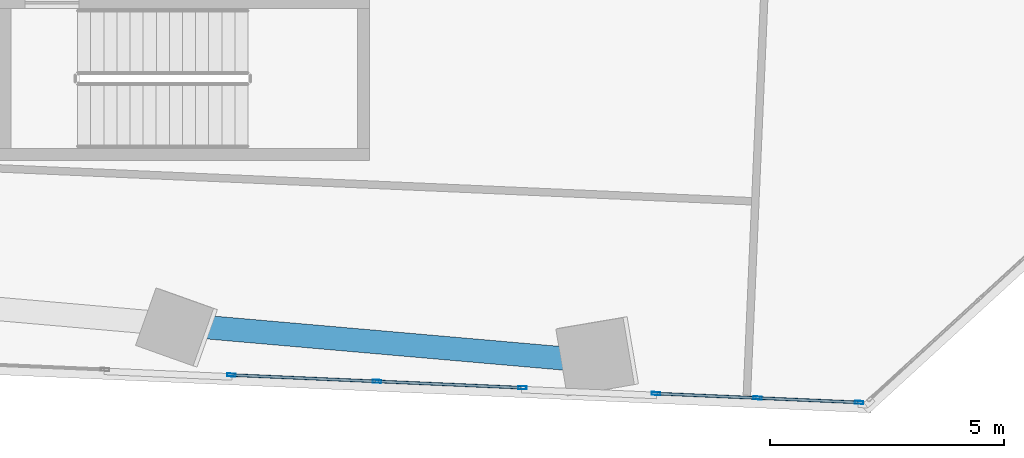
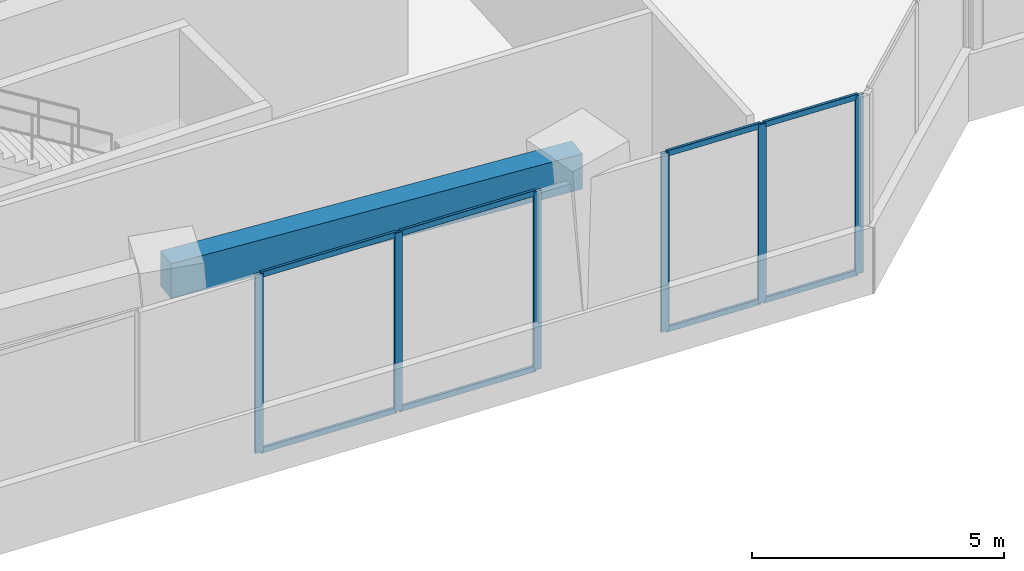
# One storey, part 5 of 26: 14 members, 1 beam, 2 elements without a shape of their own.
"""IFC4 building model written with IfcOpenShell, lengths in metres."""

from ifc_helpers import new_model, si_unit, direction, frame, origin, origin_2d, place, context, subcontext, project, spatial, rectangle, hollow_rectangle, extrude, source, transform, mapped, material, material_profile, profile_set, type_object, element, aggregate, save


model = new_model("IFC4")

# Units and contexts
model_context = context("Model", 3, precision=1e-05, world=origin(), true_north=direction((0.0, 1.0)))
body_context = subcontext(model_context, "Body", "Model", "MODEL_VIEW")
ifc_project = project(units=[si_unit("LENGTHUNIT", "METRE"), si_unit("AREAUNIT", "SQUARE_METRE"), si_unit("VOLUMEUNIT", "CUBIC_METRE"), si_unit("PLANEANGLEUNIT", "RADIAN"), si_unit("MASSUNIT", "GRAM", prefix="KILO")], contexts=[model_context])

# Site, building, storey
site_placement = place(None, origin())
site = spatial("IfcSite", under=ifc_project, at=site_placement, CompositionType="ELEMENT")
building_placement = place(site_placement, origin())
building = spatial("IfcBuilding", under=site, at=building_placement, Name="Torre Montelarca", CompositionType="ELEMENT")
storey_placement = place(building_placement, frame((0.0, 0.0, 42.39990234375)))
storey = spatial("IfcBuildingStorey", under=building, at=storey_placement, Name="L09", CompositionType="ELEMENT", Elevation=42.39990234375)

# Beam
ifc_material_1 = material(Name="Concrete C55/67", Category="concrete")
ifc_material_profile_1 = material_profile(ifc_material_1, rectangle(XDim=0.5, YDim=0.85009765625, at=origin_2d()), Name="RCB500X850", Category="concrete")
ifc_profile_set_1 = profile_set([ifc_material_profile_1], Name="Concrete C55/67")
beam_type = type_object("IfcBeamType", Name="BM-SP-RC850-EXT", PredefinedType="SPANDREL", material=ifc_profile_set_1)
shared_shape_1 = source(origin(), body_context, "Body", "SweptSolid", [
    extrude(rectangle(XDim=0.5, YDim=0.85009765625, at=origin_2d()), origin(), (0.0, 0.0, 1.0), 9.0),
])
beam_placement = place(storey_placement, frame((16.51416015625, 15.17041015625, 4.135009765625), z_axis=(0.996194541889, -0.087157528131, 0.0), x_axis=(0.087157528131, 0.996194541889, 0.0)))
element("IfcBeam", 1, at=beam_placement, inside=storey, type_object=beam_type, Name="L09 Grid Girder X 18.0-27.0 at Y=14.8", PredefinedType="SPANDREL", context=body_context, shape_type="MappedRepresentation", body=[
    mapped(shared_shape_1, transform((0.0, 0.0, 0.0), scale=1.0)),
])

# Curtain wall, members
ifc_material_2 = material(Name="Insulated low-E laminated glass", Category="glass")
curtain_wall_type = type_object("IfcCurtainWallType", Name="CW-SYS-Z1", PredefinedType="USERDEFINED", material=ifc_material_2)
curtain_wall_1_placement = place(storey_placement, origin())
curtain_wall_1 = element("IfcCurtainWall", 2, at=curtain_wall_1_placement, inside=storey, type_object=curtain_wall_type, Name="L09 Curtain Wall Run CW-T3-L09-E01-B2", ObjectType="UNITISED GLAZING", PredefinedType="USERDEFINED")
ifc_material_3 = material(Name="Anodised aluminium AA 6063-T6", Category="aluminium")
ifc_material_profile_2 = material_profile(ifc_material_3, hollow_rectangle(XDim=0.06494140625, YDim=0.179931640625, WallThickness=0.00390625, InnerFilletRadius=0.00390625, OuterFilletRadius=0.008056640625, at=origin_2d()), Name="ALU65X180X4", Category="aluminium")
ifc_profile_set_2 = profile_set([ifc_material_profile_2], Name="Anodised aluminium AA 6063-T6")
member_type_1 = type_object("IfcMemberType", Name="CWM-ALU180", PredefinedType="MULLION", material=ifc_profile_set_2)
shared_shape_2 = source(origin(), body_context, "Body", "SweptSolid", [
    extrude(hollow_rectangle(XDim=0.06494140625, YDim=0.179931640625, WallThickness=0.00390625, InnerFilletRadius=0.00390625, OuterFilletRadius=0.008056640625, at=origin_2d()), origin(), (0.0, 0.0, 1.0), 4.320068359375),
])
member_1_placement = place(storey_placement, frame((18.002685546875, 14.0654296875, 0.0), z_axis=(0.0, 0.0, 1.0), x_axis=(0.043620234387, 0.9990481846, 0.0)))
member_1 = element("IfcMember", 3, at=member_1_placement, type_object=member_type_1, Name="CW mullion 1", PredefinedType="MULLION", context=body_context, shape_type="MappedRepresentation", body=[
    mapped(shared_shape_2, transform((0.0, 0.0, 0.0), scale=1.0)),
])
member_2_placement = place(storey_placement, frame((21.10888671875, 13.929931640625, 0.0), z_axis=(0.0, 0.0, 1.0), x_axis=(0.043620234387, 0.9990481846, 0.0)))
member_2 = element("IfcMember", 4, at=member_2_placement, type_object=member_type_1, Name="CW mullion 2", PredefinedType="MULLION", context=body_context, shape_type="MappedRepresentation", body=[
    mapped(shared_shape_2, transform((0.0, 0.0, 0.0), scale=1.0)),
])
member_3_placement = place(storey_placement, frame((24.21533203125, 13.794189453125, 0.0), z_axis=(0.0, 0.0, 1.0), x_axis=(0.043620234387, 0.9990481846, 0.0)))
member_3 = element("IfcMember", 5, at=member_3_placement, type_object=member_type_1, Name="CW mullion 3", PredefinedType="MULLION", context=body_context, shape_type="MappedRepresentation", body=[
    mapped(shared_shape_2, transform((0.0, 0.0, 0.0), scale=1.0)),
])

curtain_wall_2_placement = place(storey_placement, origin())
curtain_wall_2 = element("IfcCurtainWall", 6, at=curtain_wall_2_placement, inside=storey, type_object=curtain_wall_type, Name="L09 Curtain Wall Run CW-T3-L09-E01-B3", ObjectType="UNITISED GLAZING", PredefinedType="USERDEFINED")
member_4_placement = place(storey_placement, frame((27.066650390625, 13.669677734375, 0.0), z_axis=(0.0, 0.0, 1.0), x_axis=(0.043602704361, 0.999048949838, 0.0)))
member_4 = element("IfcMember", 7, at=member_4_placement, type_object=member_type_1, Name="CW mullion 1", PredefinedType="MULLION", context=body_context, shape_type="MappedRepresentation", body=[
    mapped(shared_shape_2, transform((0.0, 0.0, 0.0), scale=1.0)),
])
member_5_placement = place(storey_placement, frame((29.235107421875, 13.574951171875, 0.0), z_axis=(0.0, 0.0, 1.0), x_axis=(0.043602704361, 0.999048949838, 0.0)))
member_5 = element("IfcMember", 8, at=member_5_placement, type_object=member_type_1, Name="CW mullion 2", PredefinedType="MULLION", context=body_context, shape_type="MappedRepresentation", body=[
    mapped(shared_shape_2, transform((0.0, 0.0, 0.0), scale=1.0)),
])
member_6_placement = place(storey_placement, frame((31.4033203125, 13.48046875, 0.0), z_axis=(0.0, 0.0, 1.0), x_axis=(0.043602704361, 0.999048949838, 0.0)))
member_6 = element("IfcMember", 9, at=member_6_placement, type_object=member_type_1, Name="CW mullion 3", PredefinedType="MULLION", context=body_context, shape_type="MappedRepresentation", body=[
    mapped(shared_shape_2, transform((0.0, 0.0, 0.0), scale=1.0)),
])

# Member
ifc_material_profile_3 = material_profile(ifc_material_3, hollow_rectangle(XDim=0.06494140625, YDim=0.139892578125, WallThickness=0.00390625, InnerFilletRadius=0.00390625, OuterFilletRadius=0.008056640625, at=origin_2d()), Name="ALU65X140X4", Category="aluminium")
ifc_profile_set_3 = profile_set([ifc_material_profile_3], Name="Anodised aluminium AA 6063-T6")
member_type_2 = type_object("IfcMemberType", Name="CWT-ALU140", PredefinedType="USERDEFINED", material=ifc_profile_set_3)
shared_shape_3 = source(origin(), body_context, "Body", "SweptSolid", [
    extrude(hollow_rectangle(XDim=0.06494140625, YDim=0.139892578125, WallThickness=0.00390625, InnerFilletRadius=0.00390625, OuterFilletRadius=0.008056640625, at=origin_2d()), origin(), (0.0, 0.0, 1.0), 3.044189453125),
])
member_7_placement = place(storey_placement, frame((18.03515625, 14.06396484375, 0.03271484375), z_axis=(0.999047817405, -0.043628643547, 0.0), x_axis=(0.043628643547, 0.999047817405, 0.0)))
member_7 = element("IfcMember", 10, at=member_7_placement, type_object=member_type_2, Name="CW transom 1.1", ObjectType="TRANSOM", PredefinedType="USERDEFINED", context=body_context, shape_type="MappedRepresentation", body=[
    mapped(shared_shape_3, transform((0.0, 0.0, 0.0), scale=1.0)),
])

member_8_placement = place(storey_placement, frame((18.03515625, 14.06396484375, 4.28759765625), z_axis=(0.999047817405, -0.043628643547, 0.0), x_axis=(0.043628643547, 0.999047817405, 0.0)))
member_8 = element("IfcMember", 11, at=member_8_placement, type_object=member_type_2, Name="CW transom 1.2", ObjectType="TRANSOM", PredefinedType="USERDEFINED", context=body_context, shape_type="MappedRepresentation", body=[
    mapped(shared_shape_3, transform((0.0, 0.0, 0.0), scale=1.0)),
])

shared_shape_4 = source(origin(), body_context, "Body", "SweptSolid", [
    extrude(hollow_rectangle(XDim=0.06494140625, YDim=0.139892578125, WallThickness=0.00390625, InnerFilletRadius=0.00390625, OuterFilletRadius=0.008056640625, at=origin_2d()), origin(), (0.0, 0.0, 1.0), 3.04443359375),
])
member_9_placement = place(storey_placement, frame((21.141357421875, 13.928466796875, 0.03271484375), z_axis=(0.999047970044, -0.043625148154, 0.0), x_axis=(0.043625148154, 0.999047970044, 0.0)))
member_9 = element("IfcMember", 12, at=member_9_placement, type_object=member_type_2, Name="CW transom 2.1", ObjectType="TRANSOM", PredefinedType="USERDEFINED", context=body_context, shape_type="MappedRepresentation", body=[
    mapped(shared_shape_4, transform((0.0, 0.0, 0.0), scale=1.0)),
])

member_10_placement = place(storey_placement, frame((21.141357421875, 13.928466796875, 4.28759765625), z_axis=(0.999047970044, -0.043625148154, 0.0), x_axis=(0.043625148154, 0.999047970044, 0.0)))
member_10 = element("IfcMember", 13, at=member_10_placement, type_object=member_type_2, Name="CW transom 2.2", ObjectType="TRANSOM", PredefinedType="USERDEFINED", context=body_context, shape_type="MappedRepresentation", body=[
    mapped(shared_shape_4, transform((0.0, 0.0, 0.0), scale=1.0)),
])

aggregate(curtain_wall_1, [member_1, member_2, member_3, member_7, member_8, member_9, member_10])

shared_shape_5 = source(origin(), body_context, "Body", "SweptSolid", [
    extrude(hollow_rectangle(XDim=0.06494140625, YDim=0.139892578125, WallThickness=0.00390625, InnerFilletRadius=0.00390625, OuterFilletRadius=0.008056640625, at=origin_2d()), origin(), (0.0, 0.0, 1.0), 2.10546875),
])
member_11_placement = place(storey_placement, frame((27.09912109375, 13.668212890625, 0.03271484375), z_axis=(0.999049144456, -0.04359824493, 0.0), x_axis=(0.04359824493, 0.999049144456, 0.0)))
member_11 = element("IfcMember", 14, at=member_11_placement, type_object=member_type_2, Name="CW transom 1.1", ObjectType="TRANSOM", PredefinedType="USERDEFINED", context=body_context, shape_type="MappedRepresentation", body=[
    mapped(shared_shape_5, transform((0.0, 0.0, 0.0), scale=1.0)),
])

member_12_placement = place(storey_placement, frame((27.09912109375, 13.668212890625, 4.28759765625), z_axis=(0.999049144456, -0.04359824493, 0.0), x_axis=(0.04359824493, 0.999049144456, 0.0)))
member_12 = element("IfcMember", 15, at=member_12_placement, type_object=member_type_2, Name="CW transom 1.2", ObjectType="TRANSOM", PredefinedType="USERDEFINED", context=body_context, shape_type="MappedRepresentation", body=[
    mapped(shared_shape_5, transform((0.0, 0.0, 0.0), scale=1.0)),
])

shared_shape_6 = source(origin(), body_context, "Body", "SweptSolid", [
    extrude(hollow_rectangle(XDim=0.06494140625, YDim=0.139892578125, WallThickness=0.00390625, InnerFilletRadius=0.00390625, OuterFilletRadius=0.008056640625, at=origin_2d()), origin(), (0.0, 0.0, 1.0), 2.105224609375),
])
member_13_placement = place(storey_placement, frame((29.267578125, 13.57373046875, 0.03271484375), z_axis=(0.999048924014, -0.043603296045, 0.0), x_axis=(0.043603296045, 0.999048924014, 0.0)))
member_13 = element("IfcMember", 16, at=member_13_placement, type_object=member_type_2, Name="CW transom 2.1", ObjectType="TRANSOM", PredefinedType="USERDEFINED", context=body_context, shape_type="MappedRepresentation", body=[
    mapped(shared_shape_6, transform((0.0, 0.0, 0.0), scale=1.0)),
])

member_14_placement = place(storey_placement, frame((29.267578125, 13.57373046875, 4.28759765625), z_axis=(0.999048924014, -0.043603296045, 0.0), x_axis=(0.043603296045, 0.999048924014, 0.0)))
member_14 = element("IfcMember", 17, at=member_14_placement, type_object=member_type_2, Name="CW transom 2.2", ObjectType="TRANSOM", PredefinedType="USERDEFINED", context=body_context, shape_type="MappedRepresentation", body=[
    mapped(shared_shape_6, transform((0.0, 0.0, 0.0), scale=1.0)),
])

aggregate(curtain_wall_2, [member_4, member_5, member_6, member_11, member_12, member_13, member_14])

save(model, "model.ifc")
